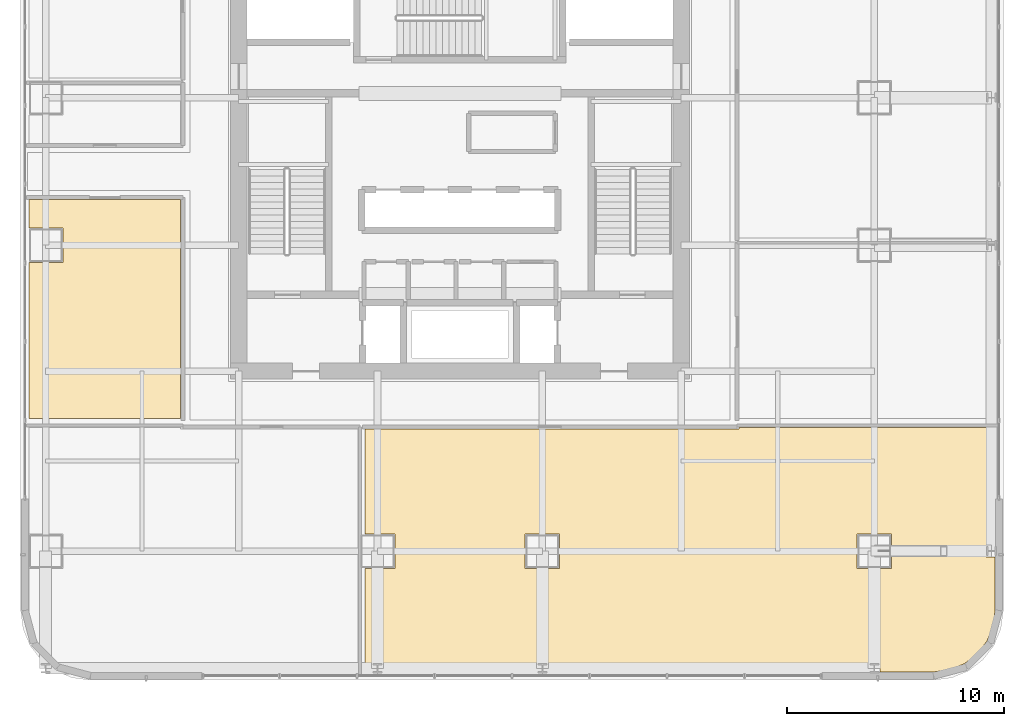
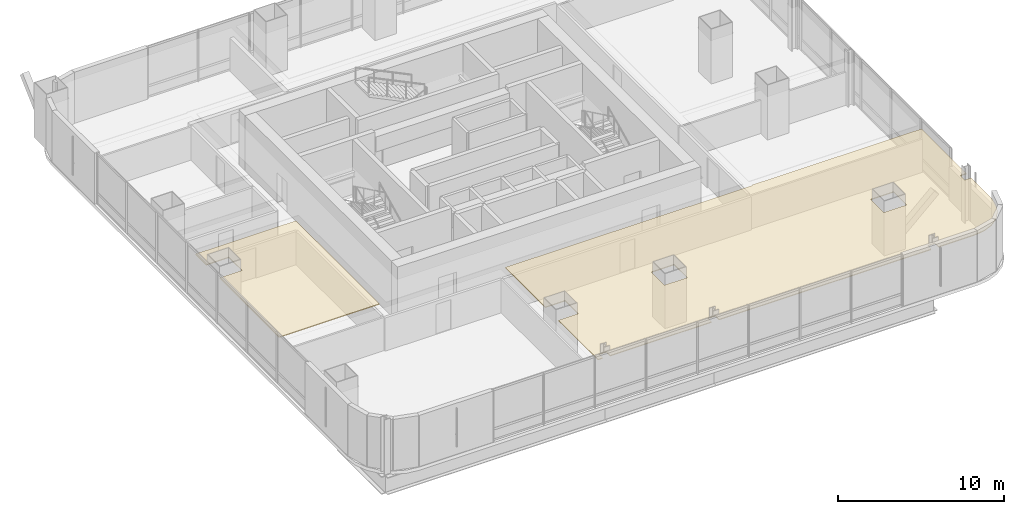
# One storey, part 34 of 42: 2 coverings.
"""IFC4 building model written with IfcOpenShell, lengths in metres."""

from ifc_helpers import new_model, si_unit, direction, frame, origin, place, context, subcontext, project, spatial, polyline, outline, extrude, material, layer, layer_set, type_object, element, save


model = new_model("IFC4")

# Units and contexts
model_context = context("Model", 3, precision=1e-05, world=origin(), true_north=direction((0.0, 1.0)))
body_context = subcontext(model_context, "Body", "Model", "MODEL_VIEW")
ifc_project = project(units=[si_unit("LENGTHUNIT", "METRE"), si_unit("AREAUNIT", "SQUARE_METRE"), si_unit("VOLUMEUNIT", "CUBIC_METRE"), si_unit("PLANEANGLEUNIT", "RADIAN"), si_unit("MASSUNIT", "GRAM", prefix="KILO")], contexts=[model_context])

# Site, building, storey
site_placement = place(None, origin())
site = spatial("IfcSite", under=ifc_project, at=site_placement, CompositionType="ELEMENT")
building_placement = place(site_placement, origin())
building = spatial("IfcBuilding", under=site, at=building_placement, Name="Punatoya Terracotta Tower", CompositionType="ELEMENT")
storey_placement = place(building_placement, frame((0.0, 0.0, 88.949951171875)))
storey = spatial("IfcBuildingStorey", under=building, at=storey_placement, Name="L20", CompositionType="ELEMENT", Elevation=88.949951171875)

# Coverings
ifc_material = material(Name="Acoustic Mineral Fibre Ceiling")
ifc_layer = layer(ifc_material, 0.06005859375)
ifc_layer_set = layer_set([ifc_layer], Name="Acoustic Mineral Fibre Ceiling")
covering_type = type_object("IfcCoveringType", Name="COV-CEIL-60", PredefinedType="CEILING", material=ifc_layer_set)
covering_1_placement = place(storey_placement, frame((0.0, 0.0, 3.199951171875)))
element("IfcCovering", 1, at=covering_1_placement, inside=storey, type_object=covering_type, Name="L20 Occupational Rest Lounge Acoustic Ceiling", PredefinedType="CEILING", context=body_context, shape_type="SweptSolid", body=[
    extrude(outline(polyline([(12.8701171875, -11.8701171875), (-4.385009765625, -11.8701171875), (-4.385009765625, -16.699951171875), (-3.0, -16.699951171875), (-3.0, -18.300048828125), (-4.385009765625, -18.300048828125), (-4.385009765625, -23.070068359375), (-4.05810546875, -23.070068359375), (-4.05810546875, -22.626953125), (-3.5419921875, -22.626953125), (-3.5419921875, -23.070068359375), (3.5419921875, -23.070068359375), (3.5419921875, -22.626953125), (4.05810546875, -22.626953125), (4.05810546875, -23.070068359375), (18.842041015625, -23.070068359375), (18.842041015625, -22.626953125), (19.35791015625, -22.626953125), (19.35791015625, -23.070068359375), (21.8251953125, -23.070068359375), (22.5791015625, -22.970703125), (23.25830078125, -22.689453125), (23.841796875, -22.24169921875), (24.289306640625, -21.658203125), (24.57080078125, -20.97900390625), (24.669921875, -20.22509765625), (24.669921875, -17.77294921875), (24.241943359375, -17.77294921875), (24.241943359375, -17.22705078125), (24.669921875, -17.22705078125), (24.669921875, -11.81005859375), (12.8701171875, -11.81005859375), (12.8701171875, -11.8701171875)]), holes=[polyline([(19.89990234375, -18.300048828125), (18.300048828125, -18.300048828125), (18.300048828125, -16.699951171875), (19.89990234375, -16.699951171875), (19.89990234375, -18.300048828125)]), polyline([(4.60009765625, -16.699951171875), (4.60009765625, -18.300048828125), (3.0, -18.300048828125), (3.0, -16.699951171875), (4.60009765625, -16.699951171875)])]), origin(), (0.0, 0.0, 1.0), 0.06005859375),
])
covering_2_placement = place(storey_placement, frame((0.0, 0.0, 3.199951171875)))
element("IfcCovering", 2, at=covering_2_placement, inside=storey, type_object=covering_type, Name="L20 Open-Plan Leadership Training Classroom Acoustic Ceiling", PredefinedType="CEILING", context=body_context, shape_type="SweptSolid", body=[
    extrude(outline(polyline([(-12.8701171875, -11.389892578125), (-12.8701171875, -1.300048828125), (-19.8701171875, -1.300048828125), (-19.8701171875, -2.60009765625), (-18.300048828125, -2.60009765625), (-18.300048828125, -4.199951171875), (-19.8701171875, -4.199951171875), (-19.8701171875, -11.389892578125), (-12.8701171875, -11.389892578125)])), origin(), (0.0, 0.0, 1.0), 0.06005859375),
])

save(model, "model.ifc")
